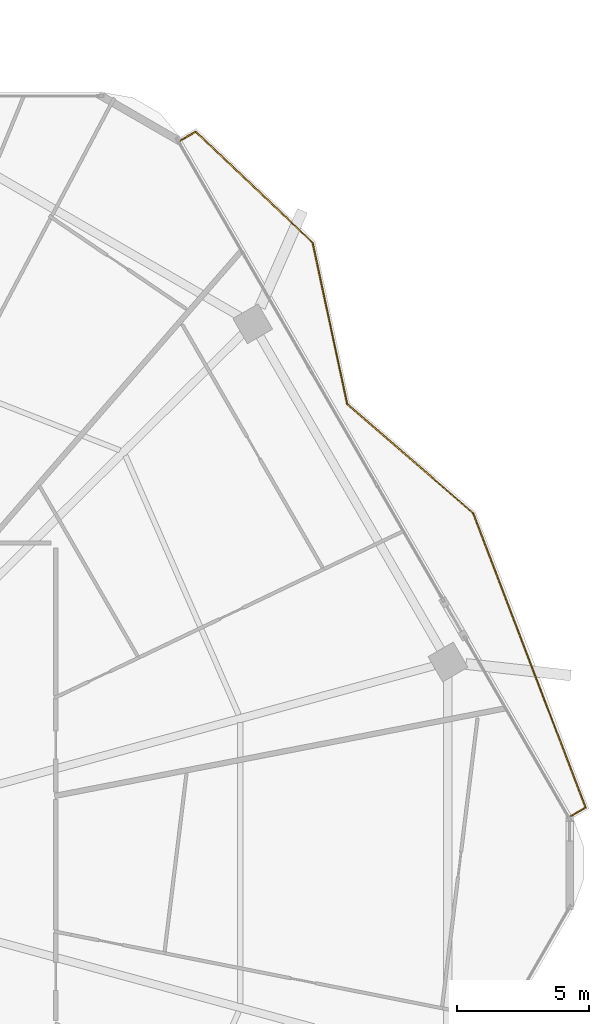
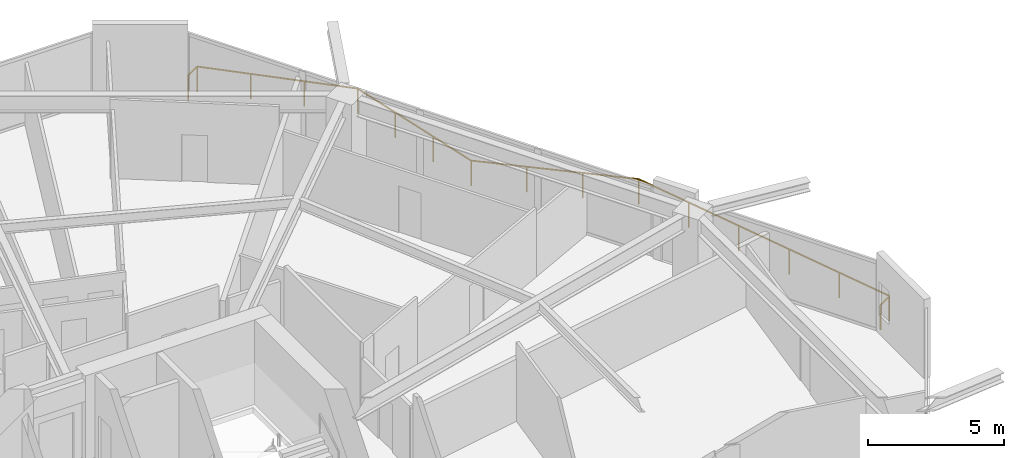
# One storey, part 29 of 29: 1 railing.
"""IFC4 building model written with IfcOpenShell, lengths in metres."""

from ifc_helpers import new_model, si_unit, direction, frame, origin, origin_2d, place, context, subcontext, project, spatial, rectangle, extrude, material, type_object, element, save


model = new_model("IFC4")

# Units and contexts
model_context = context("Model", 3, precision=1e-05, world=origin(), true_north=direction((0.0, 1.0)))
body_context = subcontext(model_context, "Body", "Model", "MODEL_VIEW")
ifc_project = project(units=[si_unit("LENGTHUNIT", "METRE"), si_unit("AREAUNIT", "SQUARE_METRE"), si_unit("VOLUMEUNIT", "CUBIC_METRE"), si_unit("PLANEANGLEUNIT", "RADIAN"), si_unit("MASSUNIT", "GRAM", prefix="KILO")], contexts=[model_context])

# Site, building, storey
site_placement = place(None, origin())
site = spatial("IfcSite", under=ifc_project, at=site_placement, CompositionType="ELEMENT")
building_placement = place(site_placement, origin())
building = spatial("IfcBuilding", under=site, at=building_placement, Name="Zuhravey Tower", CompositionType="ELEMENT")
storey_placement = place(building_placement, frame((0.0, 0.0, 134.199951171875)))
storey = spatial("IfcBuildingStorey", under=building, at=storey_placement, Name="L33", CompositionType="ELEMENT", Elevation=134.199951171875)

# Railing
ifc_material = material(Name="Stainless steel 316 and laminated glass", Category="steel")
railing_type = type_object("IfcRailingType", Name="Balcony & Terrace Guardrail 1150", PredefinedType="BALUSTRADE", material=ifc_material)
railing_placement = place(storey_placement, frame((53.7880859375, 59.27685546875, 0.0)))
element("IfcRailing", 1, at=railing_placement, inside=storey, type_object=railing_type, Name="L33 Face 1 Wave Balcony Guardrail GR1", PredefinedType="BALUSTRADE", context=body_context, shape_type="SweptSolid", body=[
    extrude(rectangle(XDim=0.048095703125, YDim=0.048095703125, at=origin_2d()), frame((0.001708984375, 0.0009765625, 1.1259765625), z_axis=(0.866045096311, 0.499965889992, 0.0), x_axis=(-0.499965889992, 0.866045096311, 0.0)), (0.0, 0.0, 1.0), 0.66162109375),
    extrude(rectangle(XDim=0.048095703125, YDim=0.048095703125, at=origin_2d()), frame((0.577880859375, 0.331298828125, 1.1259765625), z_axis=(0.725645623728, -0.688068622134, 0.0), x_axis=(0.688068622134, 0.725645623728, 0.0)), (0.0, 0.0, 1.0), 6.0771484375),
    extrude(rectangle(XDim=0.048095703125, YDim=0.048095703125, at=origin_2d()), frame((4.98974609375, -3.853515625, 1.1259765625), z_axis=(0.209628021954, -0.977781208866, 0.0), x_axis=(0.977781208866, 0.209628021954, 0.0)), (0.0, 0.0, 1.0), 6.2314453125),
    extrude(rectangle(XDim=0.048095703125, YDim=0.048095703125, at=origin_2d()), frame((6.2978515625, -9.94970703125, 1.1259765625), z_axis=(0.755885127076, -0.654704265043, 0.0), x_axis=(0.654704265043, 0.755885127076, 0.0)), (0.0, 0.0, 1.0), 6.28173828125),
    extrude(rectangle(XDim=0.048095703125, YDim=0.048095703125, at=origin_2d()), frame((11.04833984375, -14.065673828125, 1.1259765625), z_axis=(0.356913768861, -0.934137335512, 0.0), x_axis=(0.934137335512, 0.356913768861, 0.0)), (0.0, 0.0, 1.0), 11.89892578125),
    extrude(rectangle(XDim=0.048095703125, YDim=0.048095703125, at=origin_2d()), frame((15.294189453125, -25.18359375, 1.1259765625), z_axis=(-0.865987003449, -0.500066505434, 0.0), x_axis=(0.500066505434, -0.865987003449, 0.0)), (0.0, 0.0, 1.0), 0.651123046875),
    extrude(rectangle(XDim=0.0419921875, YDim=0.0419921875, at=origin_2d()), origin(), (0.0, 0.0, 1.0), 1.099853515625),
    extrude(rectangle(XDim=0.0419921875, YDim=0.0419921875, at=origin_2d()), frame((0.576416015625, 0.332763671875, 0.0)), (0.0, 0.0, 1.0), 1.099853515625),
    extrude(rectangle(XDim=0.0419921875, YDim=0.0419921875, at=origin_2d()), frame((2.04736328125, -1.06201171875, 0.0)), (0.0, 0.0, 1.0), 1.099853515625),
    extrude(rectangle(XDim=0.0419921875, YDim=0.0419921875, at=origin_2d()), frame((3.518310546875, -2.456787109375, 0.0)), (0.0, 0.0, 1.0), 1.099853515625),
    extrude(rectangle(XDim=0.0419921875, YDim=0.0419921875, at=origin_2d()), frame((4.9892578125, -3.8515625, 0.0)), (0.0, 0.0, 1.0), 1.099853515625),
    extrude(rectangle(XDim=0.0419921875, YDim=0.0419921875, at=origin_2d()), frame((5.425048828125, -5.8837890625, 0.0)), (0.0, 0.0, 1.0), 1.099853515625),
    extrude(rectangle(XDim=0.0419921875, YDim=0.0419921875, at=origin_2d()), frame((5.860595703125, -7.916259765625, 0.0)), (0.0, 0.0, 1.0), 1.099853515625),
    extrude(rectangle(XDim=0.0419921875, YDim=0.0419921875, at=origin_2d()), frame((6.29638671875, -9.948486328125, 0.0)), (0.0, 0.0, 1.0), 1.099853515625),
    extrude(rectangle(XDim=0.0419921875, YDim=0.0419921875, at=origin_2d()), frame((7.880126953125, -11.3203125, 0.0)), (0.0, 0.0, 1.0), 1.099853515625),
    extrude(rectangle(XDim=0.0419921875, YDim=0.0419921875, at=origin_2d()), frame((9.4638671875, -12.69189453125, 0.0)), (0.0, 0.0, 1.0), 1.099853515625),
    extrude(rectangle(XDim=0.0419921875, YDim=0.0419921875, at=origin_2d()), frame((11.047607421875, -14.063720703125, 0.0)), (0.0, 0.0, 1.0), 1.099853515625),
    extrude(rectangle(XDim=0.0419921875, YDim=0.0419921875, at=origin_2d()), frame((11.897216796875, -16.28759765625, 0.0)), (0.0, 0.0, 1.0), 1.099853515625),
    extrude(rectangle(XDim=0.0419921875, YDim=0.0419921875, at=origin_2d()), frame((12.746826171875, -18.51123046875, 0.0)), (0.0, 0.0, 1.0), 1.099853515625),
    extrude(rectangle(XDim=0.0419921875, YDim=0.0419921875, at=origin_2d()), frame((13.5966796875, -20.735107421875, 0.0)), (0.0, 0.0, 1.0), 1.099853515625),
    extrude(rectangle(XDim=0.0419921875, YDim=0.0419921875, at=origin_2d()), frame((14.4462890625, -22.958740234375, 0.0)), (0.0, 0.0, 1.0), 1.099853515625),
    extrude(rectangle(XDim=0.0419921875, YDim=0.0419921875, at=origin_2d()), frame((15.2958984375, -25.1826171875, 0.0)), (0.0, 0.0, 1.0), 1.099853515625),
    extrude(rectangle(XDim=0.0419921875, YDim=0.0419921875, at=origin_2d()), frame((14.728515625, -25.51025390625, 0.0)), (0.0, 0.0, 1.0), 1.099853515625),
])

save(model, "model.ifc")
